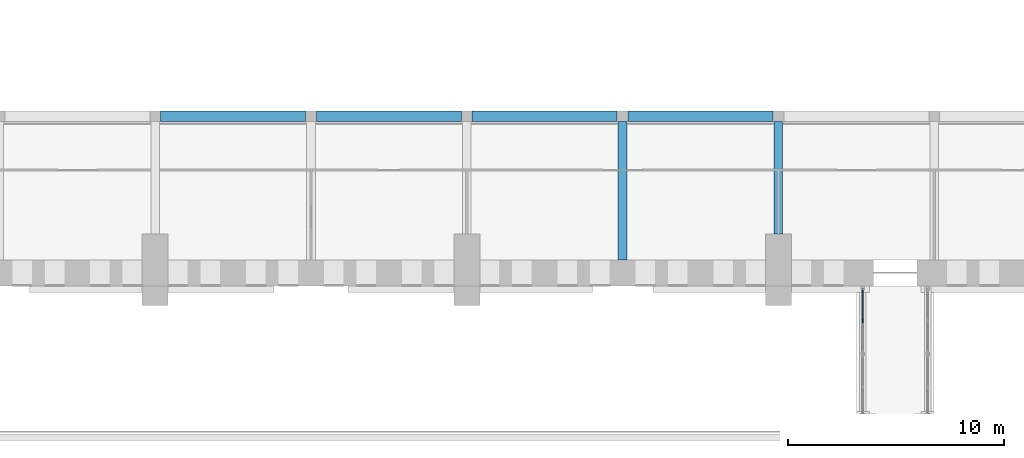
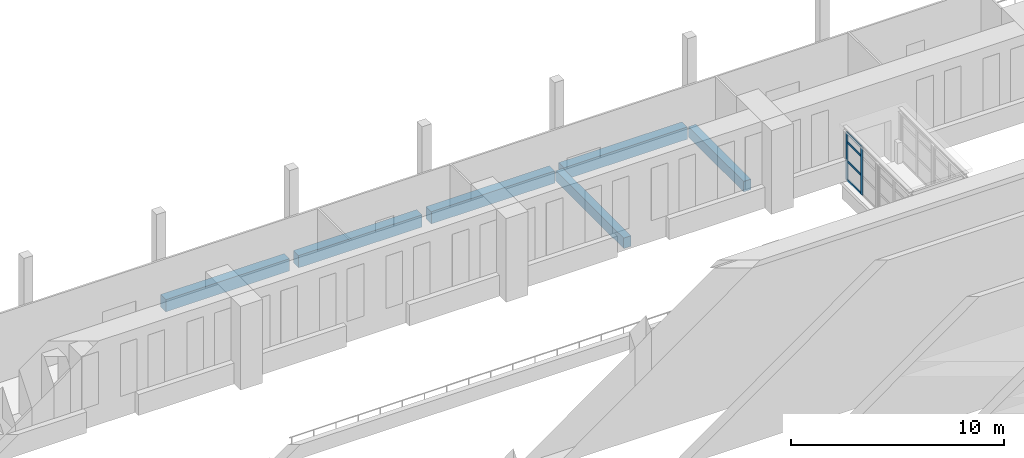
# One storey, part 37 of 131: 6 beams, 6 members, 1 element without a shape of its own.
"""IFC4 building model written with IfcOpenShell, lengths in metres."""

from ifc_helpers import new_model, si_unit, direction, frame, origin, origin_2d, place, context, subcontext, project, spatial, rectangle, extrude, material, layer, layer_set, material_profile, profile_set, type_object, element, aggregate, save


model = new_model("IFC4")

# Units and contexts
model_context = context("Model", 3, precision=1e-05, world=origin(), true_north=direction((0.0, 1.0)))
body_context = subcontext(model_context, "Body", "Model", "MODEL_VIEW")
ifc_project = project(units=[si_unit("LENGTHUNIT", "METRE"), si_unit("AREAUNIT", "SQUARE_METRE"), si_unit("VOLUMEUNIT", "CUBIC_METRE"), si_unit("PLANEANGLEUNIT", "RADIAN"), si_unit("MASSUNIT", "GRAM", prefix="KILO")], contexts=[model_context])

# Site, building, storey
site_placement = place(None, origin())
site = spatial("IfcSite", under=ifc_project, at=site_placement, CompositionType="ELEMENT")
building_placement = place(site_placement, origin())
building = spatial("IfcBuilding", under=site, at=building_placement, Name="Alderwick Market Hall", CompositionType="ELEMENT")
storey_placement = place(building_placement, frame((0.0, 0.0, 4.800048828125)))
storey = spatial("IfcBuildingStorey", under=building, at=storey_placement, Name="L00", CompositionType="ELEMENT", Elevation=4.800048828125)

# Beams
ifc_material_1 = material(Name="Concrete 5000 psi (f'c 35 MPa)", Category="concrete")
ifc_material_profile_1 = material_profile(ifc_material_1, rectangle(XDim=0.5, YDim=0.699951171875, at=origin_2d()), Name="RC 500x700")
ifc_profile_set_1 = profile_set([ifc_material_profile_1], Name="Concrete 5000 psi (f'c 35 MPa)")
beam_type_1 = type_object("IfcBeamType", Name="H Edge beam 500x700", PredefinedType="BEAM", material=ifc_profile_set_1)
for number, where, z_axis, x_axis, name in (
    (1, (93.85009765625, 57.639892578125, -0.60009765625), (1.0, 0.0, 0.0), (0.0, 1.0, 0.0), "Gallery edge beam S"),
    (2, (101.050048828125, 57.639892578125, -0.60009765625), (1.0, 0.0, 0.0), (0.0, 1.0, 0.0), "Gallery edge beam S"),
    (3, (108.25, 57.639892578125, -0.60009765625), (1.0, 0.0, 0.0), (0.0, 1.0, 0.0), "Gallery edge beam S"),
    (4, (115.449951171875, 57.639892578125, -0.60009765625), (1.0, 0.0, 0.0), (0.0, 1.0, 0.0), "Gallery edge beam S"),
):
    element("IfcBeam", number, at=place(storey_placement, frame(where, z_axis=z_axis, x_axis=x_axis)), inside=storey, type_object=beam_type_1, Name=name, PredefinedType="BEAM", context=body_context, shape_type="SweptSolid", body=[
        extrude(rectangle(XDim=0.5, YDim=0.699951171875, at=origin_2d()), origin(), (0.0, 0.0, 1.0), 6.699951171875),
    ])
ifc_material_profile_2 = material_profile(ifc_material_1, rectangle(XDim=0.39990234375, YDim=0.60009765625, at=origin_2d()), Name="RC 400x600")
ifc_profile_set_2 = profile_set([ifc_material_profile_2], Name="Concrete 5000 psi (f'c 35 MPa)")
beam_type_2 = type_object("IfcBeamType", Name="H Gallery beam 400x600", PredefinedType="BEAM", material=ifc_profile_set_2)
beam_1_placement = place(storey_placement, frame((115.199951171875, 51.0, -0.550048828125), z_axis=(0.0, 1.0, 0.0), x_axis=(-1.0, 0.0, 0.0)))
element("IfcBeam", 5, at=beam_1_placement, inside=storey, type_object=beam_type_2, Name="Gallery beam S", PredefinedType="BEAM", context=body_context, shape_type="SweptSolid", body=[
    extrude(rectangle(XDim=0.39990234375, YDim=0.60009765625, at=origin_2d()), origin(), (0.0, 0.0, 1.0), 6.389892578125),
])
beam_2_placement = place(storey_placement, frame((122.39990234375, 52.199951171875, -0.550048828125), z_axis=(0.0, 1.0, 0.0), x_axis=(-1.0, 0.0, 0.0)))
element("IfcBeam", 6, at=beam_2_placement, inside=storey, type_object=beam_type_2, Name="Gallery beam S", PredefinedType="BEAM", context=body_context, shape_type="SweptSolid", body=[
    extrude(rectangle(XDim=0.39990234375, YDim=0.60009765625, at=origin_2d()), origin(), (0.0, 0.0, 1.0), 5.18994140625),
])

# Curtain wall, members
ifc_material_2 = material(Name="Aluminium frame", Category="aluminium")
ifc_layer = layer(ifc_material_2, 0.10009765625)
ifc_layer_set = layer_set([ifc_layer], Name="Aluminium frame")
curtain_wall_type = type_object("IfcCurtainWallType", Name="P Curtain Wall 100", PredefinedType="NOTDEFINED", material=ifc_layer_set)
curtain_wall_placement = place(storey_placement, origin())
curtain_wall = element("IfcCurtainWall", 7, at=curtain_wall_placement, inside=storey, type_object=curtain_wall_type, Name="P.P4.cw.a1", PredefinedType="NOTDEFINED")
ifc_material_profile_3 = material_profile(ifc_material_2, rectangle(XDim=0.06005859375, YDim=0.159912109375, at=origin_2d()), Name="P Mullion 60x160")
ifc_profile_set_3 = profile_set([ifc_material_profile_3], Name="Aluminium frame")
member_type_1 = type_object("IfcMemberType", Name="P Mullion 60x160", PredefinedType="MULLION", material=ifc_profile_set_3)
member_1_placement = place(storey_placement, frame((126.300048828125, 48.175048828125, 0.0), z_axis=(0.0, 0.0, 1.0), x_axis=(-1.0, 0.0, 0.0)))
member_1 = element("IfcMember", 8, at=member_1_placement, type_object=member_type_1, Name="P-CW4a1 mullion 2", PredefinedType="MULLION", context=body_context, shape_type="SweptSolid", body=[
    extrude(rectangle(XDim=0.06005859375, YDim=0.159912109375, at=origin_2d()), origin(), (0.0, 0.0, 1.0), 2.7529296875),
])
member_2_placement = place(storey_placement, frame((126.300048828125, 49.593994140625, 0.0), z_axis=(0.0, 0.0, 1.0), x_axis=(-1.0, 0.0, 0.0)))
member_2 = element("IfcMember", 9, at=member_2_placement, type_object=member_type_1, Name="P-CW4a1 mullion 3", PredefinedType="MULLION", context=body_context, shape_type="SweptSolid", body=[
    extrude(rectangle(XDim=0.06005859375, YDim=0.159912109375, at=origin_2d()), origin(), (0.0, 0.0, 1.0), 2.7529296875),
])
ifc_material_profile_4 = material_profile(ifc_material_2, rectangle(XDim=0.06005859375, YDim=0.1201171875, at=origin_2d()), Name="P Transom 60x120")
ifc_profile_set_4 = profile_set([ifc_material_profile_4], Name="Aluminium frame")
member_type_2 = type_object("IfcMemberType", Name="P Transom 60x120", PredefinedType="USERDEFINED", material=ifc_profile_set_4)
member_3_placement = place(storey_placement, frame((126.300048828125, 48.205078125, 0.030029296875), z_axis=(0.0, 1.0, 0.0), x_axis=(-1.0, 0.0, 0.0)))
member_3 = element("IfcMember", 10, at=member_3_placement, type_object=member_type_2, Name="P-CW4a1 transom 2.1", ObjectType="TRANSOM", PredefinedType="USERDEFINED", context=body_context, shape_type="SweptSolid", body=[
    extrude(rectangle(XDim=0.06005859375, YDim=0.1201171875, at=origin_2d()), origin(), (0.0, 0.0, 1.0), 1.35888671875),
])
member_4_placement = place(storey_placement, frame((126.300048828125, 48.205078125, 1.099853515625), z_axis=(0.0, 1.0, 0.0), x_axis=(-1.0, 0.0, 0.0)))
member_4 = element("IfcMember", 11, at=member_4_placement, type_object=member_type_2, Name="P-CW4a1 transom 2.2", ObjectType="TRANSOM", PredefinedType="USERDEFINED", context=body_context, shape_type="SweptSolid", body=[
    extrude(rectangle(XDim=0.06005859375, YDim=0.1201171875, at=origin_2d()), origin(), (0.0, 0.0, 1.0), 1.35888671875),
])
member_5_placement = place(storey_placement, frame((126.300048828125, 48.205078125, 2.199951171875), z_axis=(0.0, 1.0, 0.0), x_axis=(-1.0, 0.0, 0.0)))
member_5 = element("IfcMember", 12, at=member_5_placement, type_object=member_type_2, Name="P-CW4a1 transom 2.3", ObjectType="TRANSOM", PredefinedType="USERDEFINED", context=body_context, shape_type="SweptSolid", body=[
    extrude(rectangle(XDim=0.06005859375, YDim=0.1201171875, at=origin_2d()), origin(), (0.0, 0.0, 1.0), 1.35888671875),
])
member_6_placement = place(storey_placement, frame((126.300048828125, 48.205078125, 2.722900390625), z_axis=(0.0, 1.0, 0.0), x_axis=(-1.0, 0.0, 0.0)))
member_6 = element("IfcMember", 13, at=member_6_placement, type_object=member_type_2, Name="P-CW4a1 transom 2.4", ObjectType="TRANSOM", PredefinedType="USERDEFINED", context=body_context, shape_type="SweptSolid", body=[
    extrude(rectangle(XDim=0.06005859375, YDim=0.1201171875, at=origin_2d()), origin(), (0.0, 0.0, 1.0), 1.35888671875),
])
aggregate(curtain_wall, [member_1, member_2, member_3, member_4, member_5, member_6])

save(model, "model.ifc")
